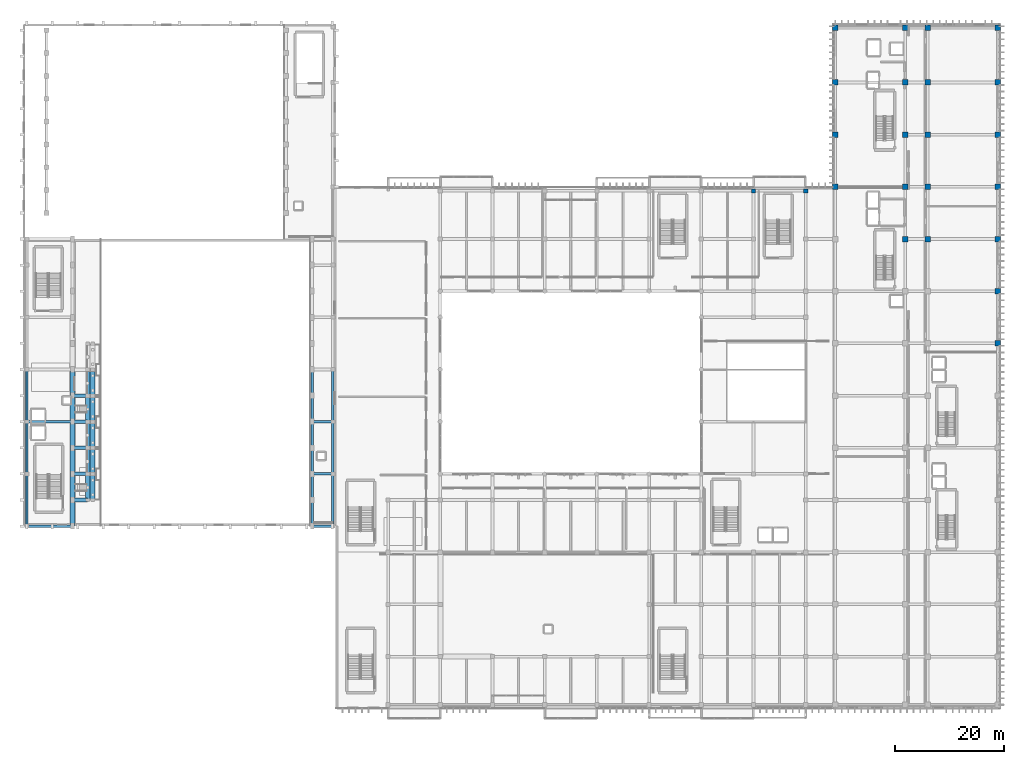
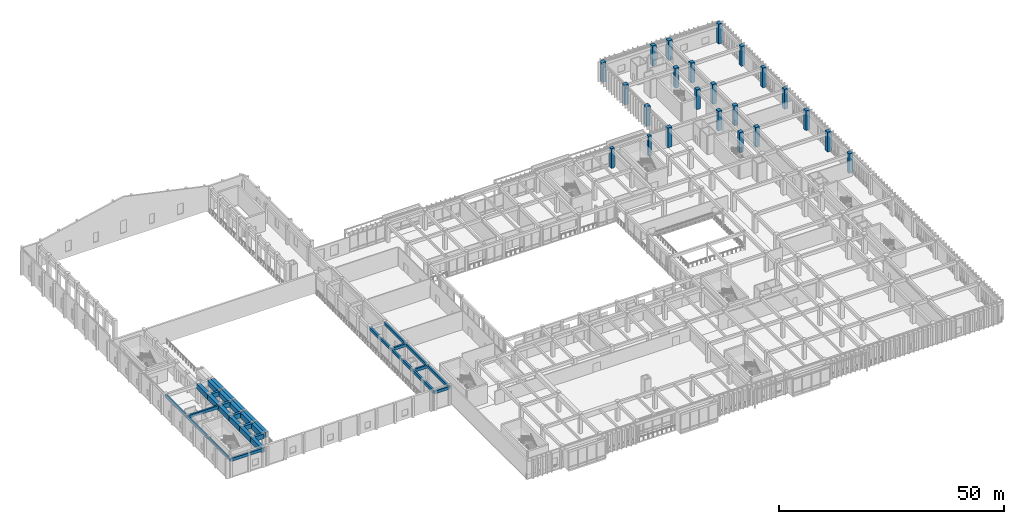
# One storey, part 11 of 134: 38 beams, 23 columns.
"""IFC4 building model written with IfcOpenShell, lengths in metres."""

from ifc_helpers import new_model, si_unit, direction, frame, origin, origin_2d, place, context, subcontext, project, spatial, rectangle, extrude, material, material_profile, profile_set, type_object, element, save


model = new_model("IFC4")

# Units and contexts
model_context = context("Model", 3, precision=1e-05, world=origin(), true_north=direction((0.0, 1.0)))
body_context = subcontext(model_context, "Body", "Model", "MODEL_VIEW")
ifc_project = project(units=[si_unit("LENGTHUNIT", "METRE"), si_unit("AREAUNIT", "SQUARE_METRE"), si_unit("VOLUMEUNIT", "CUBIC_METRE"), si_unit("PLANEANGLEUNIT", "RADIAN"), si_unit("MASSUNIT", "GRAM", prefix="KILO")], contexts=[model_context])

# Site, building, storey
site_placement = place(None, origin())
site = spatial("IfcSite", under=ifc_project, at=site_placement, CompositionType="ELEMENT")
building_placement = place(site_placement, origin())
building = spatial("IfcBuilding", under=site, at=building_placement, Name="Nakhvara Creek Congress Hotel", CompositionType="ELEMENT")
storey_placement = place(building_placement, frame((0.0, 0.0, 6.0)))
storey = spatial("IfcBuildingStorey", under=building, at=storey_placement, Name="L01", CompositionType="ELEMENT", Elevation=6.0)

# Columns
ifc_material_1 = material(Name="Concrete C50/60", Category="concrete")
ifc_material_profile_1 = material_profile(ifc_material_1, rectangle(XDim=1.0, YDim=1.0, at=origin_2d()), Name="RC-COL 1000x1000", Category="LoadBearing")
ifc_profile_set_1 = profile_set([ifc_material_profile_1], Name="Concrete C50/60")
column_type_1 = type_object("IfcColumnType", Name="COL-RC-1000", PredefinedType="COLUMN", material=ifc_profile_set_1)
for number, where, z_axis, x_axis, name in (
    (1, (149.449951171875, 96.0, 0.0), (0.0, 0.0, 1.0), (1.0, 0.0, 0.0), "Column C02-L01-0990"),
    (2, (149.449951171875, 105.60009765625, 0.0), (0.0, 0.0, 1.0), (1.0, 0.0, 0.0), "Column C02-L01-0991"),
    (3, (149.449951171875, 115.199951171875, 0.0), (0.0, 0.0, 1.0), (1.0, 0.0, 0.0), "Column C02-L01-0992"),
    (4, (149.449951171875, 125.25, 0.0), (0.0, 0.0, 1.0), (1.0, 0.0, 0.0), "Column C02-L01-0993"),
    (5, (162.35009765625, 86.39990234375, 0.0), (0.0, 0.0, 1.0), (1.0, 0.0, 0.0), "Column C02-L01-1003"),
    (6, (162.35009765625, 96.0, 0.0), (0.0, 0.0, 1.0), (1.0, 0.0, 0.0), "Column C02-L01-1004"),
    (7, (162.35009765625, 105.60009765625, 0.0), (0.0, 0.0, 1.0), (1.0, 0.0, 0.0), "Column C02-L01-1005"),
    (8, (162.35009765625, 115.199951171875, 0.0), (0.0, 0.0, 1.0), (1.0, 0.0, 0.0), "Column C02-L01-1006"),
    (9, (162.35009765625, 125.25, 0.0), (0.0, 0.0, 1.0), (1.0, 0.0, 0.0), "Column C02-L01-1007"),
    (10, (166.449951171875, 86.39990234375, 0.0), (0.0, 0.0, 1.0), (1.0, 0.0, 0.0), "Column C02-L01-1017"),
    (11, (166.449951171875, 96.0, 0.0), (0.0, 0.0, 1.0), (1.0, 0.0, 0.0), "Column C02-L01-1018"),
    (12, (166.449951171875, 105.60009765625, 0.0), (0.0, 0.0, 1.0), (1.0, 0.0, 0.0), "Column C02-L01-1019"),
    (13, (166.449951171875, 115.199951171875, 0.0), (0.0, 0.0, 1.0), (1.0, 0.0, 0.0), "Column C02-L01-1020"),
    (14, (166.449951171875, 125.25, 0.0), (0.0, 0.0, 1.0), (1.0, 0.0, 0.0), "Column C02-L01-1021"),
    (15, (179.35009765625, 67.199951171875, 0.0), (0.0, 0.0, 1.0), (1.0, 0.0, 0.0), "Column C02-L01-1029"),
    (16, (179.35009765625, 76.800048828125, 0.0), (0.0, 0.0, 1.0), (1.0, 0.0, 0.0), "Column C02-L01-1030"),
    (17, (179.35009765625, 86.39990234375, 0.0), (0.0, 0.0, 1.0), (1.0, 0.0, 0.0), "Column C02-L01-1031"),
    (18, (179.35009765625, 96.0, 0.0), (0.0, 0.0, 1.0), (1.0, 0.0, 0.0), "Column C02-L01-1032"),
    (19, (179.35009765625, 105.60009765625, 0.0), (0.0, 0.0, 1.0), (1.0, 0.0, 0.0), "Column C02-L01-1033"),
    (20, (179.35009765625, 115.199951171875, 0.0), (0.0, 0.0, 1.0), (1.0, 0.0, 0.0), "Column C02-L01-1034"),
    (21, (179.35009765625, 125.25, 0.0), (0.0, 0.0, 1.0), (1.0, 0.0, 0.0), "Column C02-L01-1035"),
):
    element("IfcColumn", number, at=place(storey_placement, frame(where, z_axis=z_axis, x_axis=x_axis)), inside=storey, type_object=column_type_1, Name=name, PredefinedType="COLUMN", context=body_context, shape_type="SweptSolid", body=[
        extrude(rectangle(XDim=1.0, YDim=1.0, at=origin_2d()), origin(), (0.0, 0.0, 1.0), 5.39990234375),
    ])
ifc_material_profile_2 = material_profile(ifc_material_1, rectangle(XDim=0.780029296875, YDim=0.780029296875, at=origin_2d()), Name="RC-COL 780x780", Category="LoadBearing")
ifc_profile_set_2 = profile_set([ifc_material_profile_2], Name="Concrete C50/60")
column_type_2 = type_object("IfcColumnType", Name="COL-RC-780", PredefinedType="COLUMN", material=ifc_profile_set_2)
for number, where, z_axis, x_axis, name in (
    (22, (134.39990234375, 95.25, 0.0), (0.0, 0.0, 1.0), (1.0, 0.0, 0.0), "Column C19-L01-0963"),
    (23, (144.0, 95.25, 0.0), (0.0, 0.0, 1.0), (1.0, 0.0, 0.0), "Column C19-L01-0975"),
):
    element("IfcColumn", number, at=place(storey_placement, frame(where, z_axis=z_axis, x_axis=x_axis)), inside=storey, type_object=column_type_2, Name=name, PredefinedType="COLUMN", context=body_context, shape_type="SweptSolid", body=[
        extrude(rectangle(XDim=0.780029296875, YDim=0.780029296875, at=origin_2d()), origin(), (0.0, 0.0, 1.0), 5.39990234375),
    ])

# Beams
ifc_material_profile_3 = material_profile(ifc_material_1, rectangle(XDim=0.64990234375, YDim=1.300048828125, at=origin_2d()), Name="RC-RAKER 650x1300", Category="LoadBearing")
ifc_profile_set_3 = profile_set([ifc_material_profile_3], Name="Concrete C50/60")
beam_type_1 = type_object("IfcBeamType", Name="BM-RAKER-UP", PredefinedType="BEAM", material=ifc_profile_set_3)
for number, where, z_axis, x_axis, name in (
    (24, (9.14990234375, 38.39990234375, 4.449951171875), (1.0, 0.0, 0.0), (0.0, 1.0, 0.0), "Congress Stand RAKER L02-01"),
    (25, (9.14990234375, 43.199951171875, 4.449951171875), (1.0, 0.0, 0.0), (0.0, 1.0, 0.0), "Congress Stand RAKER L02-02"),
    (26, (9.14990234375, 48.0, 4.449951171875), (1.0, 0.0, 0.0), (0.0, 1.0, 0.0), "Congress Stand RAKER L02-03"),
    (27, (9.14990234375, 52.800048828125, 4.449951171875), (1.0, 0.0, 0.0), (0.0, 1.0, 0.0), "Congress Stand RAKER L02-04"),
    (28, (9.14990234375, 57.60009765625, 4.449951171875), (1.0, 0.0, 0.0), (0.0, 1.0, 0.0), "Congress Stand RAKER L02-05"),
):
    element("IfcBeam", number, at=place(storey_placement, frame(where, z_axis=z_axis, x_axis=x_axis)), inside=storey, type_object=beam_type_1, Name=name, PredefinedType="BEAM", context=body_context, shape_type="SweptSolid", body=[
        extrude(rectangle(XDim=0.64990234375, YDim=1.300048828125, at=origin_2d()), origin(), (0.0, 0.0, 1.0), 2.800048828125),
    ])
ifc_material_2 = material(Name="Concrete C40/50", Category="concrete")
ifc_material_profile_4 = material_profile(ifc_material_2, rectangle(XDim=0.47998046875, YDim=0.780029296875, at=origin_2d()), Name="RC-BM 480x780", Category="LoadBearing")
ifc_profile_set_4 = profile_set([ifc_material_profile_4], Name="Concrete C40/50")
beam_type_2 = type_object("IfcBeamType", Name="BM-RC-480X780", PredefinedType="BEAM", material=ifc_profile_set_4)
beam_1_placement = place(storey_placement, frame((0.75, 33.60009765625, 4.7099609375), z_axis=(1.0, 0.0, 0.0), x_axis=(0.0, 1.0, 0.0)))
element("IfcBeam", 29, at=beam_1_placement, inside=storey, type_object=beam_type_2, Name="Beam B13-L01-1060", PredefinedType="BEAM", context=body_context, shape_type="SweptSolid", body=[
    extrude(rectangle(XDim=0.47998046875, YDim=0.780029296875, at=origin_2d()), origin(), (0.0, 0.0, 1.0), 8.39990234375),
])
beam_2_placement = place(storey_placement, frame((57.050048828125, 33.60009765625, 4.7099609375), z_axis=(0.0, 1.0, 0.0), x_axis=(-1.0, 0.0, 0.0)))
element("IfcBeam", 30, at=beam_2_placement, inside=storey, type_object=beam_type_2, Name="Beam B13-L01-1061", PredefinedType="BEAM", context=body_context, shape_type="SweptSolid", body=[
    extrude(rectangle(XDim=0.47998046875, YDim=0.780029296875, at=origin_2d()), origin(), (0.0, 0.0, 1.0), 9.599853515625),
])
beam_3_placement = place(storey_placement, frame((53.25, 33.60009765625, 4.7099609375), z_axis=(1.0, 0.0, 0.0), x_axis=(0.0, 1.0, 0.0)))
element("IfcBeam", 31, at=beam_3_placement, inside=storey, type_object=beam_type_2, Name="Beam B13-L01-1062", PredefinedType="BEAM", context=body_context, shape_type="SweptSolid", body=[
    extrude(rectangle(XDim=0.47998046875, YDim=0.780029296875, at=origin_2d()), origin(), (0.0, 0.0, 1.0), 3.800048828125),
])
beam_4_placement = place(storey_placement, frame((57.050048828125, 43.199951171875, 4.7099609375), z_axis=(0.0, 1.0, 0.0), x_axis=(-1.0, 0.0, 0.0)))
element("IfcBeam", 32, at=beam_4_placement, inside=storey, type_object=beam_type_2, Name="Beam B13-L01-1064", PredefinedType="BEAM", context=body_context, shape_type="SweptSolid", body=[
    extrude(rectangle(XDim=0.47998046875, YDim=0.780029296875, at=origin_2d()), origin(), (0.0, 0.0, 1.0), 9.60009765625),
])
beam_5_placement = place(storey_placement, frame((53.25, 43.199951171875, 4.7099609375), z_axis=(1.0, 0.0, 0.0), x_axis=(0.0, 1.0, 0.0)))
element("IfcBeam", 33, at=beam_5_placement, inside=storey, type_object=beam_type_2, Name="Beam B13-L01-1065", PredefinedType="BEAM", context=body_context, shape_type="SweptSolid", body=[
    extrude(rectangle(XDim=0.47998046875, YDim=0.780029296875, at=origin_2d()), origin(), (0.0, 0.0, 1.0), 3.800048828125),
])
beam_6_placement = place(storey_placement, frame((0.75, 52.800048828125, 4.7099609375), z_axis=(1.0, 0.0, 0.0), x_axis=(0.0, 1.0, 0.0)))
element("IfcBeam", 34, at=beam_6_placement, inside=storey, type_object=beam_type_2, Name="Beam B13-L01-1067", PredefinedType="BEAM", context=body_context, shape_type="SweptSolid", body=[
    extrude(rectangle(XDim=0.47998046875, YDim=0.780029296875, at=origin_2d()), origin(), (0.0, 0.0, 1.0), 8.39990234375),
])
beam_7_placement = place(storey_placement, frame((57.050048828125, 52.800048828125, 4.7099609375), z_axis=(0.0, 1.0, 0.0), x_axis=(-1.0, 0.0, 0.0)))
element("IfcBeam", 35, at=beam_7_placement, inside=storey, type_object=beam_type_2, Name="Beam B13-L01-1068", PredefinedType="BEAM", context=body_context, shape_type="SweptSolid", body=[
    extrude(rectangle(XDim=0.47998046875, YDim=0.780029296875, at=origin_2d()), origin(), (0.0, 0.0, 1.0), 9.599853515625),
])
beam_8_placement = place(storey_placement, frame((53.25, 52.800048828125, 4.7099609375), z_axis=(1.0, 0.0, 0.0), x_axis=(0.0, 1.0, 0.0)))
element("IfcBeam", 36, at=beam_8_placement, inside=storey, type_object=beam_type_2, Name="Beam B13-L01-1069", PredefinedType="BEAM", context=body_context, shape_type="SweptSolid", body=[
    extrude(rectangle(XDim=0.47998046875, YDim=0.780029296875, at=origin_2d()), origin(), (0.0, 0.0, 1.0), 3.800048828125),
])
beam_9_placement = place(storey_placement, frame((53.25, 33.60009765625, 4.7099609375), z_axis=(0.0, 1.0, 0.0), x_axis=(-1.0, 0.0, 0.0)))
element("IfcBeam", 37, at=beam_9_placement, inside=storey, type_object=beam_type_2, Name="Beam B13-L01-1085", PredefinedType="BEAM", context=body_context, shape_type="SweptSolid", body=[
    extrude(rectangle(XDim=0.47998046875, YDim=0.780029296875, at=origin_2d()), origin(), (0.0, 0.0, 1.0), 4.7998046875),
])
for number, where, z_axis, x_axis, name in (
    (38, (53.25, 38.39990234375, 4.7099609375), (0.0, 1.0, 0.0), (-1.0, 0.0, 0.0), "Beam B13-L01-1087"),
    (39, (53.25, 43.199951171875, 4.7099609375), (0.0, 1.0, 0.0), (-1.0, 0.0, 0.0), "Beam B13-L01-1089"),
    (40, (53.25, 48.0, 4.7099609375), (0.0, 1.0, 0.0), (-1.0, 0.0, 0.0), "Beam B13-L01-1091"),
    (41, (53.25, 52.800048828125, 4.7099609375), (0.0, 1.0, 0.0), (-1.0, 0.0, 0.0), "Beam B13-L01-1093"),
):
    element("IfcBeam", number, at=place(storey_placement, frame(where, z_axis=z_axis, x_axis=x_axis)), inside=storey, type_object=beam_type_2, Name=name, PredefinedType="BEAM", context=body_context, shape_type="SweptSolid", body=[
        extrude(rectangle(XDim=0.47998046875, YDim=0.780029296875, at=origin_2d()), origin(), (0.0, 0.0, 1.0), 4.800048828125),
    ])
beam_10_placement = place(storey_placement, frame((53.25, 57.60009765625, 4.7099609375), z_axis=(0.0, 1.0, 0.0), x_axis=(-1.0, 0.0, 0.0)))
element("IfcBeam", 42, at=beam_10_placement, inside=storey, type_object=beam_type_2, Name="Beam B13-L01-1095", PredefinedType="BEAM", context=body_context, shape_type="SweptSolid", body=[
    extrude(rectangle(XDim=0.47998046875, YDim=0.780029296875, at=origin_2d()), origin(), (0.0, 0.0, 1.0), 4.7998046875),
])
ifc_material_profile_5 = material_profile(ifc_material_2, rectangle(XDim=0.35009765625, YDim=0.75, at=origin_2d()), Name="RC-SPANDREL 350x750", Category="LoadBearing")
ifc_profile_set_5 = profile_set([ifc_material_profile_5], Name="Concrete C40/50")
beam_type_3 = type_object("IfcBeamType", Name="BM-SPN-350X750", PredefinedType="SPANDREL", material=ifc_profile_set_5)
beam_11_placement = place(storey_placement, frame((0.75, 33.60009765625, 4.72509765625), z_axis=(0.0, 1.0, 0.0), x_axis=(-1.0, 0.0, 0.0)))
element("IfcBeam", 43, at=beam_11_placement, inside=storey, type_object=beam_type_3, Name="Beam SP1-L01-1059", PredefinedType="SPANDREL", context=body_context, shape_type="SweptSolid", body=[
    extrude(rectangle(XDim=0.35009765625, YDim=0.75, at=origin_2d()), origin(), (0.0, 0.0, 1.0), 9.599853515625),
])
beam_12_placement = place(storey_placement, frame((0.75, 43.199951171875, 4.72509765625), z_axis=(0.0, 1.0, 0.0), x_axis=(-1.0, 0.0, 0.0)))
element("IfcBeam", 44, at=beam_12_placement, inside=storey, type_object=beam_type_3, Name="Beam SP1-L01-1063", PredefinedType="SPANDREL", context=body_context, shape_type="SweptSolid", body=[
    extrude(rectangle(XDim=0.35009765625, YDim=0.75, at=origin_2d()), origin(), (0.0, 0.0, 1.0), 9.60009765625),
])
beam_13_placement = place(storey_placement, frame((0.75, 52.800048828125, 4.72509765625), z_axis=(0.0, 1.0, 0.0), x_axis=(-1.0, 0.0, 0.0)))
element("IfcBeam", 45, at=beam_13_placement, inside=storey, type_object=beam_type_3, Name="Beam SP1-L01-1066", PredefinedType="SPANDREL", context=body_context, shape_type="SweptSolid", body=[
    extrude(rectangle(XDim=0.35009765625, YDim=0.75, at=origin_2d()), origin(), (0.0, 0.0, 1.0), 9.599853515625),
])
ifc_material_profile_6 = material_profile(ifc_material_1, rectangle(XDim=0.89990234375, YDim=1.39990234375, at=origin_2d()), Name="RC-TG 900x1400", Category="LoadBearing")
ifc_profile_set_6 = profile_set([ifc_material_profile_6], Name="Concrete C50/60")
beam_type_4 = type_object("IfcBeamType", Name="BM-TG1-1400", PredefinedType="BEAM", material=ifc_profile_set_6)
beam_14_placement = place(storey_placement, frame((9.14990234375, 33.60009765625, 4.39990234375), z_axis=(0.0, 1.0, 0.0), x_axis=(-1.0, 0.0, 0.0)))
element("IfcBeam", 46, at=beam_14_placement, inside=storey, type_object=beam_type_4, Name="Transfer Girder TG1-L01-1084", PredefinedType="BEAM", context=body_context, shape_type="SweptSolid", body=[
    extrude(rectangle(XDim=0.89990234375, YDim=1.39990234375, at=origin_2d()), origin(), (0.0, 0.0, 1.0), 4.7998046875),
])
for number, where, z_axis, x_axis, name in (
    (47, (9.14990234375, 38.39990234375, 4.39990234375), (0.0, 1.0, 0.0), (-1.0, 0.0, 0.0), "Transfer Girder TG1-L01-1086"),
    (48, (9.14990234375, 43.199951171875, 4.39990234375), (0.0, 1.0, 0.0), (-1.0, 0.0, 0.0), "Transfer Girder TG1-L01-1088"),
    (49, (9.14990234375, 48.0, 4.39990234375), (0.0, 1.0, 0.0), (-1.0, 0.0, 0.0), "Transfer Girder TG1-L01-1090"),
    (50, (9.14990234375, 52.800048828125, 4.39990234375), (0.0, 1.0, 0.0), (-1.0, 0.0, 0.0), "Transfer Girder TG1-L01-1092"),
):
    element("IfcBeam", number, at=place(storey_placement, frame(where, z_axis=z_axis, x_axis=x_axis)), inside=storey, type_object=beam_type_4, Name=name, PredefinedType="BEAM", context=body_context, shape_type="SweptSolid", body=[
        extrude(rectangle(XDim=0.89990234375, YDim=1.39990234375, at=origin_2d()), origin(), (0.0, 0.0, 1.0), 4.800048828125),
    ])
beam_15_placement = place(storey_placement, frame((9.14990234375, 57.60009765625, 4.39990234375), z_axis=(0.0, 1.0, 0.0), x_axis=(-1.0, 0.0, 0.0)))
element("IfcBeam", 51, at=beam_15_placement, inside=storey, type_object=beam_type_4, Name="Transfer Girder TG1-L01-1094", PredefinedType="BEAM", context=body_context, shape_type="SweptSolid", body=[
    extrude(rectangle(XDim=0.89990234375, YDim=1.39990234375, at=origin_2d()), origin(), (0.0, 0.0, 1.0), 4.7998046875),
])
for number, where, z_axis, x_axis, name in (
    (52, (11.949951171875, 38.39990234375, 4.39990234375), (0.0, 1.0, 0.0), (-1.0, 0.0, 0.0), "Transfer Girder TG1-L01-1106"),
    (53, (12.85009765625, 38.39990234375, 4.39990234375), (0.0, 1.0, 0.0), (-1.0, 0.0, 0.0), "Transfer Girder TG1-L01-1107"),
    (54, (11.949951171875, 43.199951171875, 4.39990234375), (0.0, 1.0, 0.0), (-1.0, 0.0, 0.0), "Transfer Girder TG1-L01-1108"),
    (55, (12.85009765625, 43.199951171875, 4.39990234375), (0.0, 1.0, 0.0), (-1.0, 0.0, 0.0), "Transfer Girder TG1-L01-1109"),
    (56, (11.949951171875, 48.0, 4.39990234375), (0.0, 1.0, 0.0), (-1.0, 0.0, 0.0), "Transfer Girder TG1-L01-1110"),
    (57, (12.85009765625, 48.0, 4.39990234375), (0.0, 1.0, 0.0), (-1.0, 0.0, 0.0), "Transfer Girder TG1-L01-1111"),
    (58, (11.949951171875, 52.800048828125, 4.39990234375), (0.0, 1.0, 0.0), (-1.0, 0.0, 0.0), "Transfer Girder TG1-L01-1112"),
    (59, (12.85009765625, 52.800048828125, 4.39990234375), (0.0, 1.0, 0.0), (-1.0, 0.0, 0.0), "Transfer Girder TG1-L01-1113"),
):
    element("IfcBeam", number, at=place(storey_placement, frame(where, z_axis=z_axis, x_axis=x_axis)), inside=storey, type_object=beam_type_4, Name=name, PredefinedType="BEAM", context=body_context, shape_type="SweptSolid", body=[
        extrude(rectangle(XDim=0.89990234375, YDim=1.39990234375, at=origin_2d()), origin(), (0.0, 0.0, 1.0), 4.800048828125),
    ])
for number, where, z_axis, x_axis, name in (
    (60, (11.949951171875, 57.60009765625, 4.39990234375), (0.0, 1.0, 0.0), (-1.0, 0.0, 0.0), "Transfer Girder TG1-L01-1114"),
    (61, (12.85009765625, 57.60009765625, 4.39990234375), (0.0, 1.0, 0.0), (-1.0, 0.0, 0.0), "Transfer Girder TG1-L01-1115"),
):
    element("IfcBeam", number, at=place(storey_placement, frame(where, z_axis=z_axis, x_axis=x_axis)), inside=storey, type_object=beam_type_4, Name=name, PredefinedType="BEAM", context=body_context, shape_type="SweptSolid", body=[
        extrude(rectangle(XDim=0.89990234375, YDim=1.39990234375, at=origin_2d()), origin(), (0.0, 0.0, 1.0), 4.7998046875),
    ])

save(model, "model.ifc")
